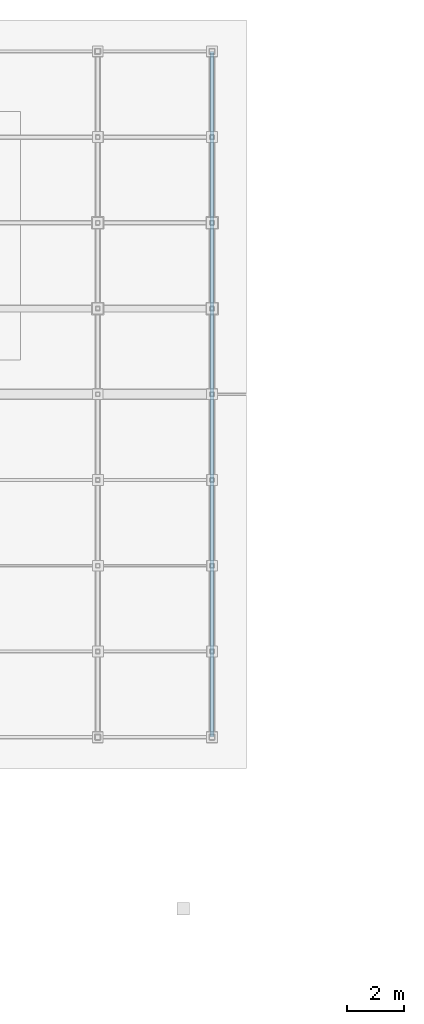
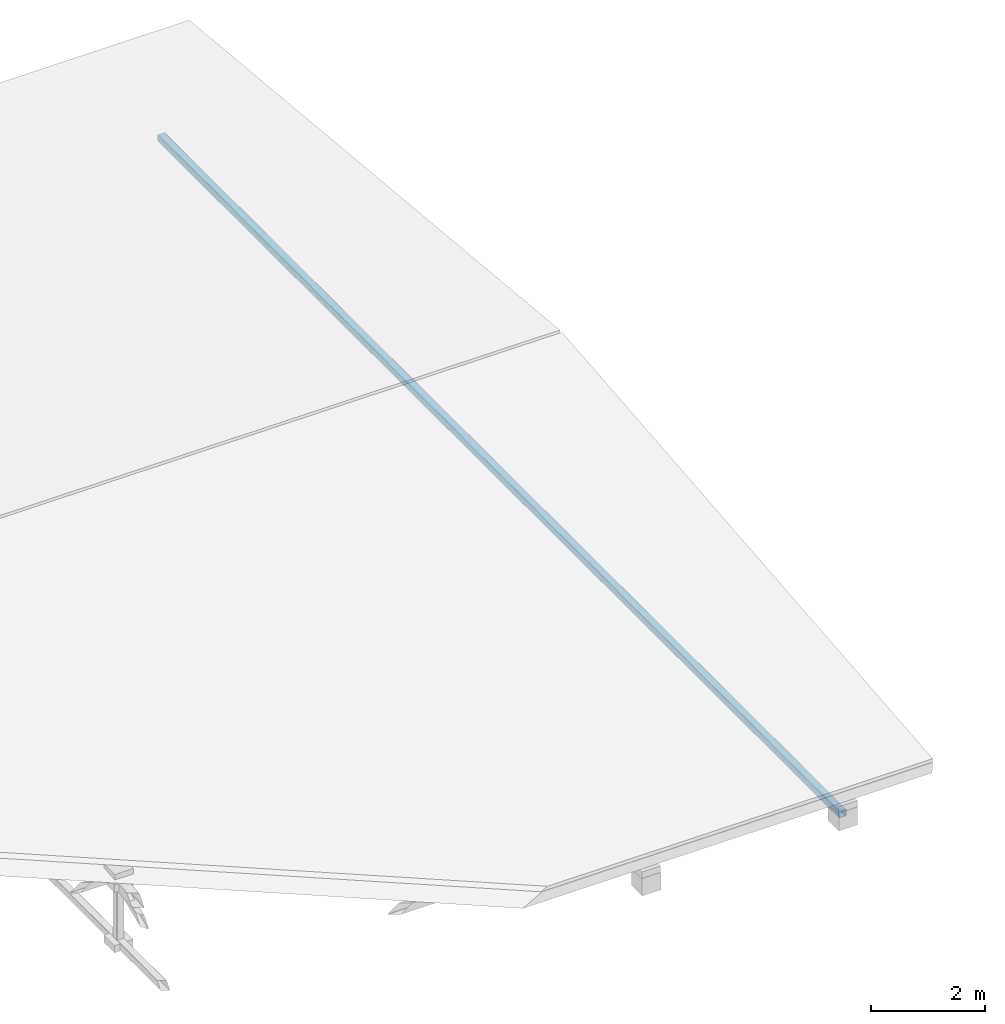
# One storey, part 15 of 25: 1 beam.
"""IFC4 building model written with IfcOpenShell, lengths in metres."""

from ifc_helpers import new_model, si_unit, direction, frame, origin, origin_2d, place, context, subcontext, project, spatial, hollow_rectangle, extrude, material, material_profile, profile_set, type_object, element, save


model = new_model("IFC4")

# Units and contexts
model_context = context("Model", 3, precision=1e-05, world=origin(), true_north=direction((0.0, 1.0)))
body_context = subcontext(model_context, "Body", "Model", "MODEL_VIEW")
ifc_project = project(units=[si_unit("LENGTHUNIT", "METRE"), si_unit("AREAUNIT", "SQUARE_METRE"), si_unit("VOLUMEUNIT", "CUBIC_METRE"), si_unit("PLANEANGLEUNIT", "RADIAN"), si_unit("MASSUNIT", "GRAM", prefix="KILO"), si_unit("THERMODYNAMICTEMPERATUREUNIT", "KELVIN"), si_unit("POWERUNIT", "WATT")], contexts=[model_context])

# Site, building, storey
site_placement = place(None, origin())
site = spatial("IfcSite", under=ifc_project, at=site_placement, CompositionType="ELEMENT")
building_placement = place(site_placement, origin())
building = spatial("IfcBuilding", under=site, at=building_placement, Name="Zelmaris Science Centre", CompositionType="ELEMENT")
storey_placement = place(building_placement, frame((0.0, 0.0, 30.0)))
storey = spatial("IfcBuildingStorey", under=building, at=storey_placement, Name="RF", CompositionType="ELEMENT", Elevation=30.0)

# Beam
ifc_material = material(Name="Steel ASTM A500 Grade C", Category="steel")
ifc_material_profile = material_profile(ifc_material, hollow_rectangle(XDim=0.15234375, YDim=0.15234375, WallThickness=0.0087890625, InnerFilletRadius=0.0087890625, OuterFilletRadius=0.017822265625, at=origin_2d()), Name="HSS152X152X10")
ifc_profile_set = profile_set([ifc_material_profile], Name="Steel ASTM A500 Grade C")
beam_type = type_object("IfcBeamType", Name="Beam G-21 HSS152X152X10", PredefinedType="BEAM", material=ifc_profile_set)
beam_placement = place(storey_placement, frame((76.0, 64.0, 0.347412109375), z_axis=(0.0, 1.0, 0.0), x_axis=(-1.0, 0.0, 0.0)))
element("IfcBeam", 1, at=beam_placement, inside=storey, type_object=beam_type, Name="RF-V5 Roof truss 4 bottom chord", PredefinedType="BEAM", context=body_context, shape_type="SweptSolid", body=[
    extrude(hollow_rectangle(XDim=0.15234375, YDim=0.15234375, WallThickness=0.0087890625, InnerFilletRadius=0.0087890625, OuterFilletRadius=0.017822265625, at=origin_2d()), origin(), (0.0, 0.0, 1.0), 24.0),
])

save(model, "model.ifc")
